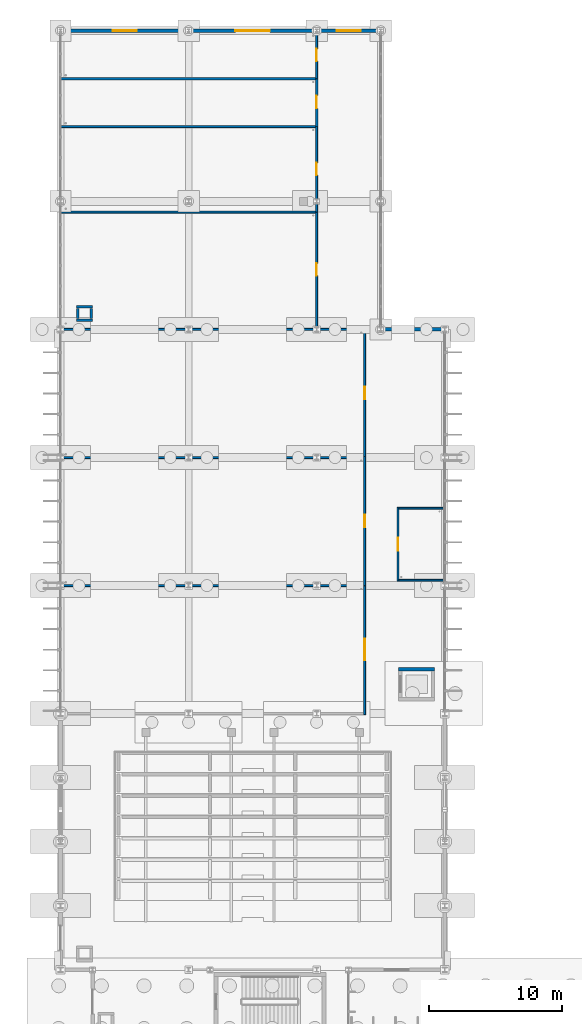
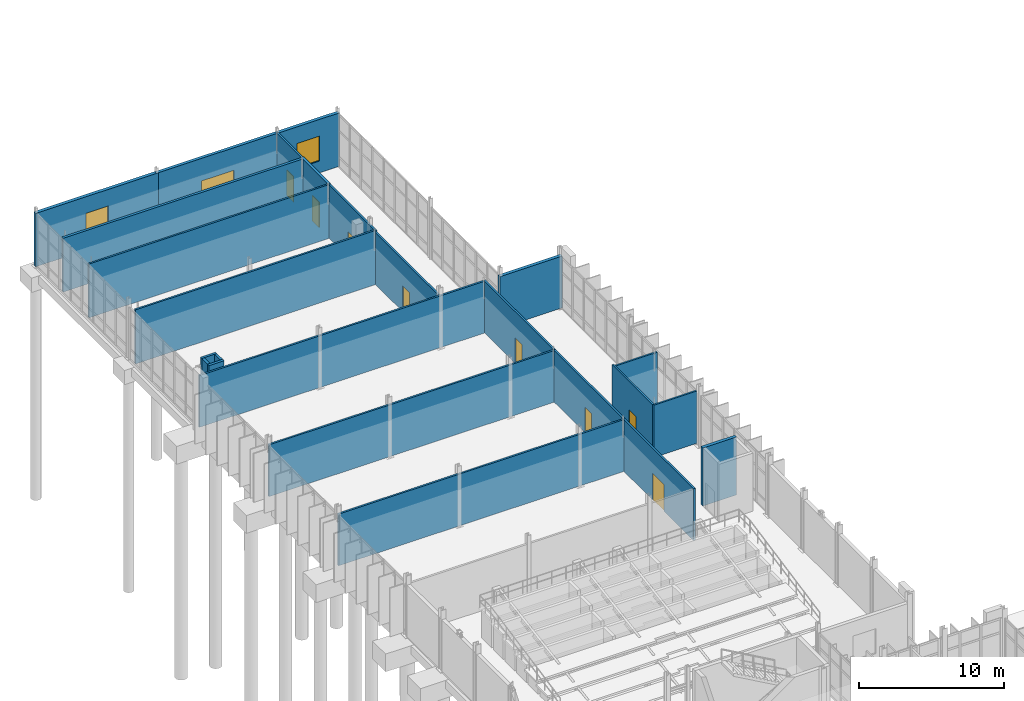
# One storey, part 64 of 111: 25 walls, 9 doors, 2 windows, 11 openings.
"""IFC4 building model written with IfcOpenShell, lengths in metres."""

from ifc_helpers import new_model, si_unit, direction, frame, frame_2d, origin, place, context, subcontext, project, spatial, rectangle, extrude, material, layer, layer_set, type_object, element, fill, save


model = new_model("IFC4")

# Units and contexts
model_context = context("Model", 3, precision=1e-05, world=origin(), true_north=direction((0.0, 1.0)))
body_context = subcontext(model_context, "Body", "Model", "MODEL_VIEW")
ifc_project = project(units=[si_unit("LENGTHUNIT", "METRE"), si_unit("AREAUNIT", "SQUARE_METRE"), si_unit("VOLUMEUNIT", "CUBIC_METRE"), si_unit("PLANEANGLEUNIT", "RADIAN"), si_unit("MASSUNIT", "GRAM", prefix="KILO")], contexts=[model_context])

# Site, building, storey
site_placement = place(None, origin())
site = spatial("IfcSite", under=ifc_project, at=site_placement, CompositionType="ELEMENT")
building_placement = place(site_placement, origin())
building = spatial("IfcBuilding", under=site, at=building_placement, Name="Dunescarp Central Library", CompositionType="ELEMENT")
storey_placement = place(building_placement, origin())
storey = spatial("IfcBuildingStorey", under=building, at=storey_placement, Name="L00", CompositionType="ELEMENT", Elevation=0.0)

# Wall
ifc_material_1 = material(Name="Gypsum plasterboard acoustic partition")
ifc_layer_1 = layer(ifc_material_1, 0.14990234375)
ifc_layer_set_1 = layer_set([ifc_layer_1], Name="Gypsum plasterboard acoustic partition")
wall_type_1 = type_object("IfcWallType", Name="ARC-PT-AC150", PredefinedType="PARTITIONING", material=ifc_layer_set_1)
wall_1_placement = place(storey_placement, frame((0.0400390625, 70.39990234375, 0.0), z_axis=(0.0, 0.0, 1.0), x_axis=(1.0, 0.0, 0.0)))
element("IfcWall", 1, at=wall_1_placement, inside=storey, type_object=wall_type_1, Name="L00 partition PT-L00-0326", PredefinedType="PARTITIONING", context=body_context, shape_type="SweptSolid", body=[
    extrude(rectangle(XDim=22.68505859375, YDim=0.14990234375, at=frame_2d((11.342529296875, 0.0))), origin(), (0.0, 0.0, 1.0), 4.35498046875),
])

# Wall, opening, door
wall_2_placement = place(storey_placement, frame((22.800048828125, 60.72509765625, 0.0), z_axis=(0.0, 0.0, 1.0), x_axis=(0.0, 1.0, 0.0)))
wall_2 = element("IfcWall", 2, at=wall_2_placement, inside=storey, type_object=wall_type_1, Name="L00 partition PT-L00-0327", PredefinedType="PARTITIONING", context=body_context, shape_type="SweptSolid", body=[
    extrude(rectangle(XDim=9.75, YDim=0.14990234375, at=frame_2d((4.875, 0.0))), origin(), (0.0, 0.0, 1.0), 4.35498046875),
])
opening_1_placement = place(wall_2_placement, frame((4.074951171875, 0.0, 0.0)))
opening_1 = element("IfcOpeningElement", 3, at=opening_1_placement, cuts=wall_2, Name="Opening DR-L00-0139", PredefinedType="OPENING", context=body_context, shape_type="SweptSolid", body=[
    extrude(rectangle(XDim=1.60009765625, YDim=2.25, at=frame_2d((0.800048828125, 1.125))), frame((0.0, 0.0849609375, 0.0), z_axis=(0.0, -1.0, 0.0), x_axis=(1.0, 0.0, 0.0)), (0.0, 0.0, 1.0), 0.169921875),
])
ifc_material_2 = material(Name="Marine-grade anodised aluminium 6063-T6", Category="aluminium")
door_type_1 = type_object("IfcDoorType", Name="ARC-DR-DBL1600", OperationType="DOUBLE_DOOR_SINGLE_SWING", PredefinedType="DOOR", material=ifc_material_2)
door_1_placement = place(opening_1_placement, origin())
door_1 = element("IfcDoor", 4, at=door_1_placement, inside=storey, type_object=door_type_1, Name="L00 interior door DR-L00-0139", OperationType="DOUBLE_DOOR_SINGLE_SWING", OverallHeight=2.25, OverallWidth=1.60009765625, PredefinedType="DOOR", context=body_context, shape_type="SweptSolid", body=[
    extrude(rectangle(XDim=1.60009765625, YDim=2.25, at=frame_2d((0.800048828125, 1.125))), frame((0.0, 0.02490234375, 0.0), z_axis=(0.0, -1.0, 0.0), x_axis=(1.0, 0.0, 0.0)), (0.0, 0.0, 1.0), 0.050048828125),
])
fill(opening_1, door_1)

# Wall
wall_3_placement = place(storey_placement, frame((0.0400390625, 80.0, 0.0), z_axis=(0.0, 0.0, 1.0), x_axis=(1.0, 0.0, 0.0)))
element("IfcWall", 5, at=wall_3_placement, inside=storey, type_object=wall_type_1, Name="L00 partition PT-L00-0328", PredefinedType="PARTITIONING", context=body_context, shape_type="SweptSolid", body=[
    extrude(rectangle(XDim=22.68505859375, YDim=0.14990234375, at=frame_2d((11.342529296875, 0.0))), origin(), (0.0, 0.0, 1.0), 4.35498046875),
])

# Wall, opening, door
wall_4_placement = place(storey_placement, frame((22.800048828125, 70.39990234375, 0.0), z_axis=(0.0, 0.0, 1.0), x_axis=(0.0, 1.0, 0.0)))
wall_4 = element("IfcWall", 6, at=wall_4_placement, inside=storey, type_object=wall_type_1, Name="L00 partition PT-L00-0329", PredefinedType="PARTITIONING", context=body_context, shape_type="SweptSolid", body=[
    extrude(rectangle(XDim=9.675048828125, YDim=0.14990234375, at=frame_2d((4.83740234375, 0.0))), origin(), (0.0, 0.0, 1.0), 4.35498046875),
])
opening_2_placement = place(wall_4_placement, frame((4.362060546875, 0.0, 0.0)))
opening_2 = element("IfcOpeningElement", 7, at=opening_2_placement, cuts=wall_4, Name="Opening DR-L00-0140", PredefinedType="OPENING", context=body_context, shape_type="SweptSolid", body=[
    extrude(rectangle(XDim=0.949951171875, YDim=2.14990234375, at=frame_2d((0.47509765625, 1.074951171875))), frame((0.0, 0.0849609375, 0.0), z_axis=(0.0, -1.0, 0.0), x_axis=(1.0, 0.0, 0.0)), (0.0, 0.0, 1.0), 0.169921875),
])
ifc_material_3 = material(Name="Hardwood solid-core timber leaf", Category="wood")
door_type_2 = type_object("IfcDoorType", Name="ARC-DR-INT950", OperationType="NOTDEFINED", PredefinedType="DOOR", material=ifc_material_3)
door_2_placement = place(opening_2_placement, origin())
door_2 = element("IfcDoor", 8, at=door_2_placement, inside=storey, type_object=door_type_2, Name="L00 interior door DR-L00-0140", OperationType="SINGLE_SWING_LEFT", OverallHeight=2.14990234375, OverallWidth=0.949951171875, PredefinedType="DOOR", context=body_context, shape_type="SweptSolid", body=[
    extrude(rectangle(XDim=0.949951171875, YDim=2.14990234375, at=frame_2d((0.47509765625, 1.074951171875))), frame((0.0, 0.02490234375, 0.0), z_axis=(0.0, -1.0, 0.0), x_axis=(1.0, 0.0, 0.0)), (0.0, 0.0, 1.0), 0.050048828125),
])
fill(opening_2, door_2)

# Wall
wall_5_placement = place(storey_placement, frame((0.0400390625, 89.60009765625, 0.0), z_axis=(0.0, 0.0, 1.0), x_axis=(1.0, 0.0, 0.0)))
element("IfcWall", 9, at=wall_5_placement, inside=storey, type_object=wall_type_1, Name="L00 partition PT-L00-0330", PredefinedType="PARTITIONING", context=body_context, shape_type="SweptSolid", body=[
    extrude(rectangle(XDim=22.68505859375, YDim=0.14990234375, at=frame_2d((11.342529296875, 0.0))), origin(), (0.0, 0.0, 1.0), 4.35498046875),
])

# Wall, opening, door
wall_6_placement = place(storey_placement, frame((22.800048828125, 80.0, 0.0), z_axis=(0.0, 0.0, 1.0), x_axis=(0.0, 1.0, 0.0)))
wall_6 = element("IfcWall", 10, at=wall_6_placement, inside=storey, type_object=wall_type_1, Name="L00 partition PT-L00-0331", PredefinedType="PARTITIONING", context=body_context, shape_type="SweptSolid", body=[
    extrude(rectangle(XDim=9.675048828125, YDim=0.14990234375, at=frame_2d((4.83740234375, 0.0))), origin(), (0.0, 0.0, 1.0), 4.35498046875),
])
opening_3_placement = place(wall_6_placement, frame((4.362060546875, 0.0, 0.0)))
opening_3 = element("IfcOpeningElement", 11, at=opening_3_placement, cuts=wall_6, Name="Opening DR-L00-0141", PredefinedType="OPENING", context=body_context, shape_type="SweptSolid", body=[
    extrude(rectangle(XDim=0.949951171875, YDim=2.14990234375, at=frame_2d((0.47509765625, 1.074951171875))), frame((0.0, 0.0849609375, 0.0), z_axis=(0.0, -1.0, 0.0), x_axis=(1.0, 0.0, 0.0)), (0.0, 0.0, 1.0), 0.169921875),
])
door_3_placement = place(opening_3_placement, origin())
door_3 = element("IfcDoor", 12, at=door_3_placement, inside=storey, type_object=door_type_2, Name="L00 interior door DR-L00-0141", OperationType="SINGLE_SWING_RIGHT", OverallHeight=2.14990234375, OverallWidth=0.949951171875, PredefinedType="DOOR", context=body_context, shape_type="SweptSolid", body=[
    extrude(rectangle(XDim=0.949951171875, YDim=2.14990234375, at=frame_2d((0.47509765625, 1.074951171875))), frame((0.0, 0.02490234375, 0.0), z_axis=(0.0, -1.0, 0.0), x_axis=(1.0, 0.0, 0.0)), (0.0, 0.0, 1.0), 0.050048828125),
])
fill(opening_3, door_3)

# Wall
wall_7_placement = place(storey_placement, frame((0.0400390625, 98.39990234375, 0.0), z_axis=(0.0, 0.0, 1.0), x_axis=(1.0, 0.0, 0.0)))
element("IfcWall", 13, at=wall_7_placement, inside=storey, type_object=wall_type_1, Name="L00 partition PT-L00-0332", PredefinedType="PARTITIONING", context=body_context, shape_type="SweptSolid", body=[
    extrude(rectangle(XDim=19.0849609375, YDim=0.14990234375, at=frame_2d((9.54248046875, 0.0))), origin(), (0.0, 0.0, 1.0), 4.552001953125),
])

# Wall, opening, door
wall_8_placement = place(storey_placement, frame((19.199951171875, 89.72509765625, 0.0), z_axis=(0.0, 0.0, 1.0), x_axis=(0.0, 1.0, 0.0)))
wall_8 = element("IfcWall", 14, at=wall_8_placement, inside=storey, type_object=wall_type_1, Name="L00 partition PT-L00-0333", PredefinedType="PARTITIONING", context=body_context, shape_type="SweptSolid", body=[
    extrude(rectangle(XDim=8.75, YDim=0.14990234375, at=frame_2d((4.375, 0.0))), origin(), (0.0, 0.0, 1.0), 4.35498046875),
])
opening_4_placement = place(wall_8_placement, frame((3.89990234375, 0.0, 0.0)))
opening_4 = element("IfcOpeningElement", 15, at=opening_4_placement, cuts=wall_8, Name="Opening DR-L00-0142", PredefinedType="OPENING", context=body_context, shape_type="SweptSolid", body=[
    extrude(rectangle(XDim=0.949951171875, YDim=2.14990234375, at=frame_2d((0.47509765625, 1.074951171875))), frame((0.0, 0.0849609375, 0.0), z_axis=(0.0, -1.0, 0.0), x_axis=(1.0, 0.0, 0.0)), (0.0, 0.0, 1.0), 0.169921875),
])
door_4_placement = place(opening_4_placement, origin())
door_4 = element("IfcDoor", 16, at=door_4_placement, inside=storey, type_object=door_type_2, Name="L00 interior door DR-L00-0142", OperationType="SINGLE_SWING_LEFT", OverallHeight=2.14990234375, OverallWidth=0.949951171875, PredefinedType="DOOR", context=body_context, shape_type="SweptSolid", body=[
    extrude(rectangle(XDim=0.949951171875, YDim=2.14990234375, at=frame_2d((0.47509765625, 1.074951171875))), frame((0.0, 0.02490234375, 0.0), z_axis=(0.0, -1.0, 0.0), x_axis=(1.0, 0.0, 0.0)), (0.0, 0.0, 1.0), 0.050048828125),
])
fill(opening_4, door_4)

# Wall
wall_9_placement = place(storey_placement, frame((0.0400390625, 104.800048828125, 0.0), z_axis=(0.0, 0.0, 1.0), x_axis=(1.0, 0.0, 0.0)))
element("IfcWall", 17, at=wall_9_placement, inside=storey, type_object=wall_type_1, Name="L00 partition PT-L00-0334", PredefinedType="PARTITIONING", context=body_context, shape_type="SweptSolid", body=[
    extrude(rectangle(XDim=19.0849609375, YDim=0.14990234375, at=frame_2d((9.54248046875, 0.0))), origin(), (0.0, 0.0, 1.0), 4.52490234375),
])

# Wall, opening, door
wall_10_placement = place(storey_placement, frame((19.199951171875, 98.39990234375, 0.0), z_axis=(0.0, 0.0, 1.0), x_axis=(0.0, 1.0, 0.0)))
wall_10 = element("IfcWall", 18, at=wall_10_placement, inside=storey, type_object=wall_type_1, Name="L00 partition PT-L00-0335", PredefinedType="PARTITIONING", context=body_context, shape_type="SweptSolid", body=[
    extrude(rectangle(XDim=6.47509765625, YDim=0.14990234375, at=frame_2d((3.237548828125, 0.0))), origin(), (0.0, 0.0, 1.0), 4.4951171875),
])
opening_5_placement = place(wall_10_placement, frame((2.761962890625, 0.0, 0.0)))
opening_5 = element("IfcOpeningElement", 19, at=opening_5_placement, cuts=wall_10, Name="Opening DR-L00-0143", PredefinedType="OPENING", context=body_context, shape_type="SweptSolid", body=[
    extrude(rectangle(XDim=0.949951171875, YDim=2.14990234375, at=frame_2d((0.47509765625, 1.074951171875))), frame((0.0, 0.0849609375, 0.0), z_axis=(0.0, -1.0, 0.0), x_axis=(1.0, 0.0, 0.0)), (0.0, 0.0, 1.0), 0.169921875),
])
door_5_placement = place(opening_5_placement, origin())
door_5 = element("IfcDoor", 20, at=door_5_placement, inside=storey, type_object=door_type_2, Name="L00 interior door DR-L00-0143", OperationType="SINGLE_SWING_RIGHT", OverallHeight=2.14990234375, OverallWidth=0.949951171875, PredefinedType="DOOR", context=body_context, shape_type="SweptSolid", body=[
    extrude(rectangle(XDim=0.949951171875, YDim=2.14990234375, at=frame_2d((0.47509765625, 1.074951171875))), frame((0.0, 0.02490234375, 0.0), z_axis=(0.0, -1.0, 0.0), x_axis=(1.0, 0.0, 0.0)), (0.0, 0.0, 1.0), 0.050048828125),
])
fill(opening_5, door_5)

wall_11_placement = place(storey_placement, frame((19.199951171875, 108.39990234375, 0.0), z_axis=(0.0, 0.0, 1.0), x_axis=(0.0, 1.0, 0.0)))
wall_11 = element("IfcWall", 21, at=wall_11_placement, inside=storey, type_object=wall_type_1, Name="L00 partition PT-L00-0338", PredefinedType="PARTITIONING", context=body_context, shape_type="SweptSolid", body=[
    extrude(rectangle(XDim=3.56005859375, YDim=0.14990234375, at=frame_2d((1.780029296875, 0.0))), origin(), (0.0, 0.0, 1.0), 4.4951171875),
])
opening_6_placement = place(wall_11_placement, frame((1.304931640625, 0.0, 0.0)))
opening_6 = element("IfcOpeningElement", 22, at=opening_6_placement, cuts=wall_11, Name="Opening DR-L00-0145", PredefinedType="OPENING", context=body_context, shape_type="SweptSolid", body=[
    extrude(rectangle(XDim=0.949951171875, YDim=2.14990234375, at=frame_2d((0.47509765625, 1.074951171875))), frame((0.0, 0.0849609375, 0.0), z_axis=(0.0, -1.0, 0.0), x_axis=(1.0, 0.0, 0.0)), (0.0, 0.0, 1.0), 0.169921875),
])
door_6_placement = place(opening_6_placement, origin())
door_6 = element("IfcDoor", 23, at=door_6_placement, inside=storey, type_object=door_type_2, Name="L00 interior door DR-L00-0145", OperationType="SINGLE_SWING_RIGHT", OverallHeight=2.14990234375, OverallWidth=0.949951171875, PredefinedType="DOOR", context=body_context, shape_type="SweptSolid", body=[
    extrude(rectangle(XDim=0.949951171875, YDim=2.14990234375, at=frame_2d((0.47509765625, 1.074951171875))), frame((0.0, 0.02490234375, 0.0), z_axis=(0.0, -1.0, 0.0), x_axis=(1.0, 0.0, 0.0)), (0.0, 0.0, 1.0), 0.050048828125),
])
fill(opening_6, door_6)

# Wall
ifc_material_4 = material(Name="Concrete C35/45", Category="concrete")
ifc_layer_2 = layer(ifc_material_4, 0.199951171875)
ifc_layer_set_2 = layer_set([ifc_layer_2], Name="Concrete C35/45")
wall_type_2 = type_object("IfcWallType", Name="ARC-PT-FIRE200", PredefinedType="PARTITIONING", material=ifc_layer_set_2)
wall_12_placement = place(storey_placement, frame((0.0400390625, 108.39990234375, 0.0), z_axis=(0.0, 0.0, 1.0), x_axis=(1.0, 0.0, 0.0)))
element("IfcWall", 24, at=wall_12_placement, inside=storey, type_object=wall_type_2, Name="L00 partition PT-L00-0336", PredefinedType="PARTITIONING", context=body_context, shape_type="SweptSolid", body=[
    extrude(rectangle(XDim=19.06005859375, YDim=0.199951171875, at=frame_2d((9.530029296875, 0.0))), origin(), (0.0, 0.0, 1.0), 4.52490234375),
])

# Wall, opening, door
wall_13_placement = place(storey_placement, frame((19.199951171875, 104.800048828125, 0.0), z_axis=(0.0, 0.0, 1.0), x_axis=(0.0, 1.0, 0.0)))
wall_13 = element("IfcWall", 25, at=wall_13_placement, inside=storey, type_object=wall_type_2, Name="L00 partition PT-L00-0337", PredefinedType="PARTITIONING", context=body_context, shape_type="SweptSolid", body=[
    extrude(rectangle(XDim=3.699951171875, YDim=0.199951171875, at=frame_2d((1.85009765625, 0.0))), origin(), (0.0, 0.0, 1.0), 4.52490234375),
])
opening_7_placement = place(wall_13_placement, frame((1.375, 0.0, 0.0)))
opening_7 = element("IfcOpeningElement", 26, at=opening_7_placement, cuts=wall_13, Name="Opening DR-L00-0144", PredefinedType="OPENING", context=body_context, shape_type="SweptSolid", body=[
    extrude(rectangle(XDim=0.949951171875, YDim=2.14990234375, at=frame_2d((0.47509765625, 1.074951171875))), frame((0.0, 0.10986328125, 0.0), z_axis=(0.0, -1.0, 0.0), x_axis=(1.0, 0.0, 0.0)), (0.0, 0.0, 1.0), 0.219970703125),
])
door_7_placement = place(opening_7_placement, origin())
door_7 = element("IfcDoor", 27, at=door_7_placement, inside=storey, type_object=door_type_2, Name="L00 interior door DR-L00-0144", OperationType="SINGLE_SWING_LEFT", OverallHeight=2.14990234375, OverallWidth=0.949951171875, PredefinedType="DOOR", context=body_context, shape_type="SweptSolid", body=[
    extrude(rectangle(XDim=0.949951171875, YDim=2.14990234375, at=frame_2d((0.47509765625, 1.074951171875))), frame((0.0, 0.02490234375, 0.0), z_axis=(0.0, -1.0, 0.0), x_axis=(1.0, 0.0, 0.0)), (0.0, 0.0, 1.0), 0.050048828125),
])
fill(opening_7, door_7)

# Walls
ifc_material_5 = material(Name="Autoclaved aerated concrete block", Category="concrete")
ifc_layer_3 = layer(ifc_material_5, 0.139892578125)
ifc_layer_set_3 = layer_set([ifc_layer_3], Name="Autoclaved aerated concrete block")
wall_type_3 = type_object("IfcWallType", Name="ARC-PT-WET140", PredefinedType="PARTITIONING", material=ifc_layer_set_3)
for number, where, z_axis, x_axis, name in (
    (28, (25.3701171875, 70.800048828125, 0.0), (0.0, 0.0, 1.0), (1.0, 0.0, 0.0), "L00 partition PT-L00-0322"),
    (29, (25.3701171875, 76.199951171875, 0.0), (0.0, 0.0, 1.0), (1.0, 0.0, 0.0), "L00 partition PT-L00-0323"),
):
    element("IfcWall", number, at=place(storey_placement, frame(where, z_axis=z_axis, x_axis=x_axis)), inside=storey, type_object=wall_type_3, Name=name, PredefinedType="PARTITIONING", context=body_context, shape_type="SweptSolid", body=[
        extrude(rectangle(XDim=3.389892578125, YDim=0.139892578125, at=frame_2d((1.69482421875, 0.0))), origin(), (0.0, 0.0, 1.0), 4.402099609375),
    ])

# Wall, opening, door
wall_14_placement = place(storey_placement, frame((25.300048828125, 70.72998046875, 0.0), z_axis=(0.0, 0.0, 1.0), x_axis=(0.0, 1.0, 0.0)))
wall_14 = element("IfcWall", 30, at=wall_14_placement, inside=storey, type_object=wall_type_3, Name="L00 partition PT-L00-0324", PredefinedType="PARTITIONING", context=body_context, shape_type="SweptSolid", body=[
    extrude(rectangle(XDim=5.5400390625, YDim=0.139892578125, at=frame_2d((2.77001953125, 0.0))), origin(), (0.0, 0.0, 1.0), 4.4951171875),
])
opening_8_placement = place(wall_14_placement, frame((2.294921875, 0.0, 0.0)))
opening_8 = element("IfcOpeningElement", 31, at=opening_8_placement, cuts=wall_14, Name="Opening DR-L00-0138", PredefinedType="OPENING", context=body_context, shape_type="SweptSolid", body=[
    extrude(rectangle(XDim=0.949951171875, YDim=2.10009765625, at=frame_2d((0.47509765625, 1.050048828125))), frame((0.0, 0.080078125, 0.0), z_axis=(0.0, -1.0, 0.0), x_axis=(1.0, 0.0, 0.0)), (0.0, 0.0, 1.0), 0.159912109375),
])
door_type_3 = type_object("IfcDoorType", Name="ARC-DR-WC950", OperationType="NOTDEFINED", PredefinedType="DOOR", material=ifc_material_3)
door_8_placement = place(opening_8_placement, origin())
door_8 = element("IfcDoor", 32, at=door_8_placement, inside=storey, type_object=door_type_3, Name="L00 interior door DR-L00-0138", OperationType="SINGLE_SWING_RIGHT", OverallHeight=2.10009765625, OverallWidth=0.949951171875, PredefinedType="DOOR", context=body_context, shape_type="SweptSolid", body=[
    extrude(rectangle(XDim=0.949951171875, YDim=2.10009765625, at=frame_2d((0.47509765625, 1.050048828125))), frame((0.0, 0.02490234375, 0.0), z_axis=(0.0, -1.0, 0.0), x_axis=(1.0, 0.0, 0.0)), (0.0, 0.0, 1.0), 0.050048828125),
])
fill(opening_8, door_8)

# Wall
ifc_material_6 = material(Name="Glass-fibre reinforced concrete GRC", Category="concrete")
ifc_layer_4 = layer(ifc_material_6, 0.260009765625)
ifc_layer_set_4 = layer_set([ifc_layer_4], Name="Glass-fibre reinforced concrete GRC")
wall_type_4 = type_object("IfcWallType", Name="ARC-WL-GRC260", PredefinedType="SOLIDWALL", material=ifc_layer_set_4)
wall_15_placement = place(storey_placement, frame((23.9150390625, 89.60009765625, 0.0), z_axis=(0.0, 0.0, 1.0), x_axis=(1.0, 0.0, 0.0)))
element("IfcWall", 33, at=wall_15_placement, inside=storey, type_object=wall_type_4, Name="L00 external wall EW-V4-114", PredefinedType="SOLIDWALL", context=body_context, shape_type="SweptSolid", body=[
    extrude(rectangle(XDim=4.969970703125, YDim=0.260009765625, at=frame_2d((2.48486328125, 0.0))), origin(), (0.0, 0.0, 1.0), 4.35498046875),
])

# Wall, opening, window
wall_16_placement = place(storey_placement, frame((-0.0849609375, 112.0, 0.0), z_axis=(0.0, 0.0, 1.0), x_axis=(1.0, 0.0, 0.0)))
wall_16 = element("IfcWall", 34, at=wall_16_placement, inside=storey, type_object=wall_type_4, Name="L00 external wall EW-V4N-148", PredefinedType="SOLIDWALL", context=body_context, shape_type="SweptSolid", body=[
    extrude(rectangle(XDim=9.77001953125, YDim=0.260009765625, at=frame_2d((4.885009765625, 0.0))), origin(), (0.0, 0.0, 1.0), 4.4951171875),
])
opening_9_placement = place(wall_16_placement, frame((3.985107421875, 0.0, 1.0)))
opening_9 = element("IfcOpeningElement", 35, at=opening_9_placement, cuts=wall_16, Name="Opening WN-046", PredefinedType="OPENING", context=body_context, shape_type="SweptSolid", body=[
    extrude(rectangle(XDim=1.800048828125, YDim=2.10009765625, at=frame_2d((0.89990234375, 1.050048828125))), frame((0.0, 0.14013671875, 0.0), z_axis=(0.0, -1.0, 0.0), x_axis=(1.0, 0.0, 0.0)), (0.0, 0.0, 1.0), 0.280029296875),
])
ifc_material_7 = material(Name="Solar-control laminated double glazing", Category="glass")
window_type = type_object("IfcWindowType", Name="ARC-WN-1800X2100", PartitioningType="SINGLE_PANEL", PredefinedType="WINDOW", material=ifc_material_7)
window_1_placement = place(opening_9_placement, origin())
window_1 = element("IfcWindow", 36, at=window_1_placement, inside=storey, type_object=window_type, Name="L00 window WN-046", OverallHeight=2.10009765625, OverallWidth=1.800048828125, PartitioningType="SINGLE_PANEL", PredefinedType="WINDOW", context=body_context, shape_type="SweptSolid", body=[
    extrude(rectangle(XDim=1.800048828125, YDim=2.10009765625, at=frame_2d((0.89990234375, 1.050048828125))), frame((0.0, 0.030029296875, 0.0), z_axis=(0.0, -1.0, 0.0), x_axis=(1.0, 0.0, 0.0)), (0.0, 0.0, 1.0), 0.06005859375),
])
fill(opening_9, window_1)

wall_17_placement = place(storey_placement, frame((19.114990234375, 112.0, 0.0), z_axis=(0.0, 0.0, 1.0), x_axis=(1.0, 0.0, 0.0)))
wall_17 = element("IfcWall", 37, at=wall_17_placement, inside=storey, type_object=wall_type_4, Name="L00 external wall EW-V4N-150", PredefinedType="SOLIDWALL", context=body_context, shape_type="SweptSolid", body=[
    extrude(rectangle(XDim=4.969970703125, YDim=0.260009765625, at=frame_2d((2.48486328125, 0.0))), origin(), (0.0, 0.0, 1.0), 4.4951171875),
])
opening_10_placement = place(wall_17_placement, frame((1.5849609375, 0.0, 1.0)))
opening_10 = element("IfcOpeningElement", 38, at=opening_10_placement, cuts=wall_17, Name="Opening WN-047", PredefinedType="OPENING", context=body_context, shape_type="SweptSolid", body=[
    extrude(rectangle(XDim=1.800048828125, YDim=2.10009765625, at=frame_2d((0.89990234375, 1.050048828125))), frame((0.0, 0.14013671875, 0.0), z_axis=(0.0, -1.0, 0.0), x_axis=(1.0, 0.0, 0.0)), (0.0, 0.0, 1.0), 0.280029296875),
])
window_2_placement = place(opening_10_placement, origin())
window_2 = element("IfcWindow", 39, at=window_2_placement, inside=storey, type_object=window_type, Name="L00 window WN-047", OverallHeight=2.10009765625, OverallWidth=1.800048828125, PartitioningType="SINGLE_PANEL", PredefinedType="WINDOW", context=body_context, shape_type="SweptSolid", body=[
    extrude(rectangle(XDim=1.800048828125, YDim=2.10009765625, at=frame_2d((0.89990234375, 1.050048828125))), frame((0.0, 0.030029296875, 0.0), z_axis=(0.0, -1.0, 0.0), x_axis=(1.0, 0.0, 0.0)), (0.0, 0.0, 1.0), 0.06005859375),
])
fill(opening_10, window_2)

# Wall, opening, door
ifc_layer_5 = layer(ifc_material_4, 0.239990234375)
ifc_layer_set_5 = layer_set([ifc_layer_5], Name="Concrete C35/45")
wall_type_5 = type_object("IfcWallType", Name="ARC-WL-MAS240", PredefinedType="SOLIDWALL", material=ifc_layer_set_5)
wall_18_placement = place(storey_placement, frame((9.514892578125, 112.0, 0.0), z_axis=(0.0, 0.0, 1.0), x_axis=(1.0, 0.0, 0.0)))
wall_18 = element("IfcWall", 40, at=wall_18_placement, inside=storey, type_object=wall_type_5, Name="L00 external wall EW-V4N-149", PredefinedType="SOLIDWALL", context=body_context, shape_type="SweptSolid", body=[
    extrude(rectangle(XDim=9.77001953125, YDim=0.239990234375, at=frame_2d((4.885009765625, 0.0))), origin(), (0.0, 0.0, 1.0), 4.4951171875),
])
opening_11_placement = place(wall_18_placement, frame((3.5849609375, 0.0, 0.0)))
opening_11 = element("IfcOpeningElement", 41, at=opening_11_placement, cuts=wall_18, Name="Opening GT-04", PredefinedType="OPENING", context=body_context, shape_type="SweptSolid", body=[
    extrude(rectangle(XDim=2.60009765625, YDim=2.60009765625, at=frame_2d((1.300048828125, 1.300048828125))), frame((0.0, 0.1298828125, 0.0), z_axis=(0.0, -1.0, 0.0), x_axis=(1.0, 0.0, 0.0)), (0.0, 0.0, 1.0), 0.260009765625),
])
ifc_material_8 = material(Name="Galvanised steel S355JR", Category="steel")
door_type_4 = type_object("IfcDoorType", Name="ARC-DR-GATE2600", OperationType="DOUBLE_DOOR_SINGLE_SWING", PredefinedType="GATE", material=ifc_material_8)
door_9_placement = place(opening_11_placement, origin())
door_9 = element("IfcDoor", 42, at=door_9_placement, inside=storey, type_object=door_type_4, Name="L00 external door GT-04", OperationType="DOUBLE_DOOR_SINGLE_SWING", OverallHeight=2.60009765625, OverallWidth=2.60009765625, PredefinedType="GATE", context=body_context, shape_type="SweptSolid", body=[
    extrude(rectangle(XDim=2.60009765625, YDim=2.60009765625, at=frame_2d((1.300048828125, 1.300048828125))), frame((0.0, 0.02490234375, 0.0), z_axis=(0.0, -1.0, 0.0), x_axis=(1.0, 0.0, 0.0)), (0.0, 0.0, 1.0), 0.050048828125),
])
fill(opening_11, door_9)

# Walls
ifc_layer_6 = layer(ifc_material_4, 0.199951171875)
ifc_layer_set_6 = layer_set([ifc_layer_6], Name="Concrete C35/45")
wall_type_6 = type_object("IfcWallType", Name="ARC-WL-RISER200", PredefinedType="PARTITIONING", material=ifc_layer_set_6)
for number, where, z_axis, x_axis, name in (
    (43, (2.39990234375, 90.300048828125, 0.0), (0.0, 0.0, 1.0), (-1.0, 0.0, 0.0), "L00 V4N duct shaft wall S"),
    (44, (1.199951171875, 91.300048828125, 0.0), (0.0, 0.0, 1.0), (1.0, 0.0, 0.0), "L00 V4N duct shaft wall N"),
):
    element("IfcWall", number, at=place(storey_placement, frame(where, z_axis=z_axis, x_axis=x_axis)), inside=storey, type_object=wall_type_6, Name=name, PredefinedType="PARTITIONING", context=body_context, shape_type="SweptSolid", body=[
        extrude(rectangle(XDim=1.199951171875, YDim=0.199951171875, at=frame_2d((0.60009765625, 0.0))), origin(), (0.0, 0.0, 1.0), 4.3798828125),
    ])
for number, where, z_axis, x_axis, name in (
    (45, (1.300048828125, 90.419921875, 0.0), (0.0, 0.0, 1.0), (0.0, 1.0, 0.0), "L00 V4N duct shaft wall W"),
    (46, (2.300048828125, 91.179931640625, 0.0), (0.0, 0.0, 1.0), (0.0, -1.0, 0.0), "L00 V4N duct shaft wall E"),
):
    element("IfcWall", number, at=place(storey_placement, frame(where, z_axis=z_axis, x_axis=x_axis)), inside=storey, type_object=wall_type_6, Name=name, PredefinedType="PARTITIONING", context=body_context, shape_type="SweptSolid", body=[
        extrude(rectangle(XDim=0.760009765625, YDim=0.199951171875, at=frame_2d((0.3798828125, 0.0))), origin(), (0.0, 0.0, 1.0), 4.3798828125),
    ])
ifc_material_9 = material(Name="Concrete C40/50", Category="concrete")
ifc_layer_7 = layer(ifc_material_9, 0.25)
ifc_layer_set_7 = layer_set([ifc_layer_7], Name="Concrete C40/50")
wall_type_7 = type_object("IfcWallType", Name="STR-WL-CORE250", PredefinedType="SHEAR", material=ifc_layer_set_7)
wall_19_placement = place(storey_placement, frame((25.35009765625, 64.125, 0.0), z_axis=(0.0, 0.0, 1.0), x_axis=(1.0, 0.0, 0.0)))
element("IfcWall", 47, at=wall_19_placement, inside=storey, type_object=wall_type_7, Name="L00 PL-4 lift shaft wall N", PredefinedType="SHEAR", context=body_context, shape_type="SweptSolid", body=[
    extrude(rectangle(XDim=2.699951171875, YDim=0.25, at=frame_2d((1.35009765625, 0.0))), origin(), (0.0, 0.0, 1.0), 4.8798828125),
])

save(model, "model.ifc")
